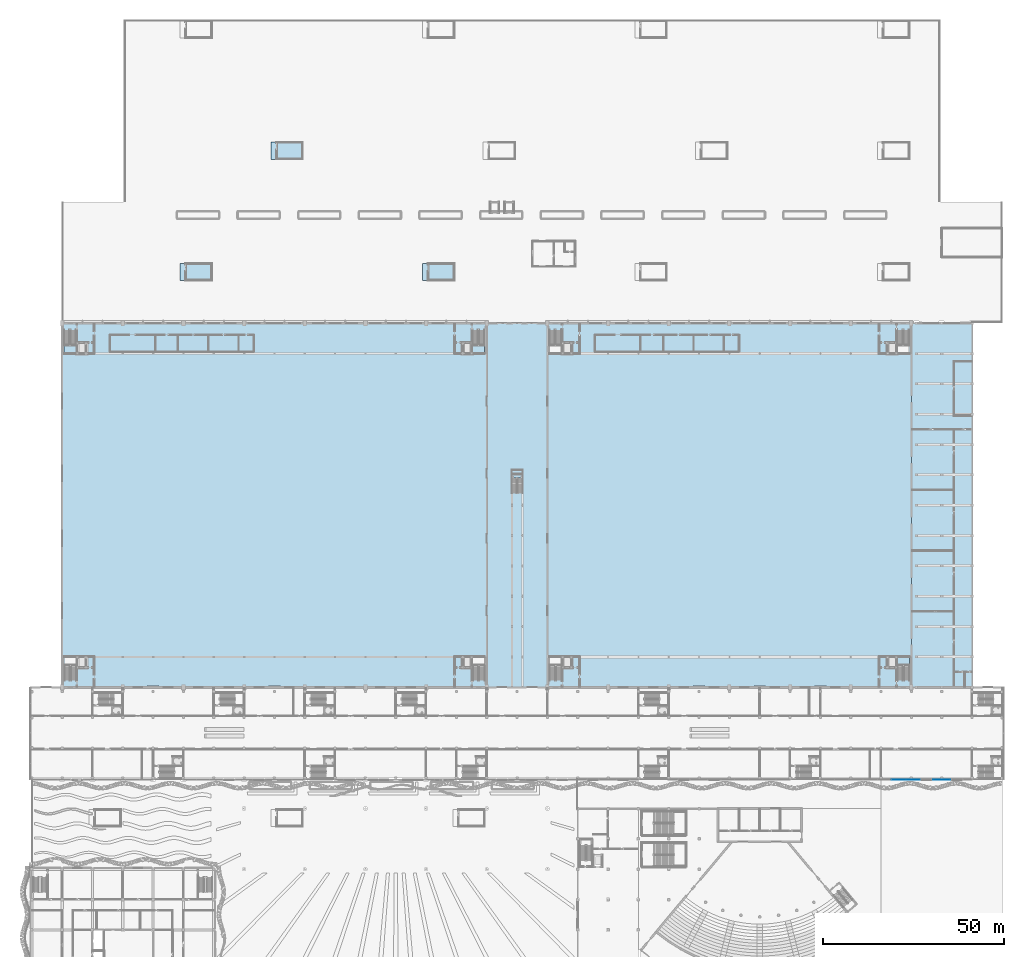
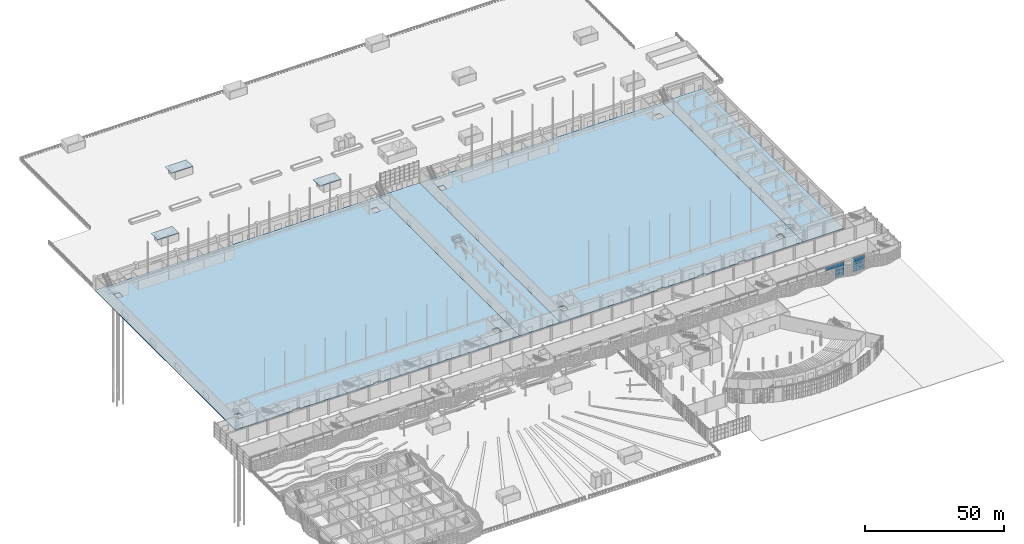
# One storey, part 93 of 210: 11 slabs, 9 plates, 6 elements without a shape of their own.
"""IFC4 building model written with IfcOpenShell, lengths in metres."""

import ifcopenshell
import ifcopenshell.guid

model = None  # the IFC model being written
_history = None  # IfcOwnerHistory: only IFC2X3 demands one
_inside = {}  # id of a spatial element -> (the spatial element, [elements in it])
_under = {}  # id of a project, library or spatial element -> (it, [spatial elements below it])
_declared = {}  # id of a project -> (the project, [libraries it declares])
_typed = {}  # id of a type object -> (the type object, [elements of that type])
_made_of = {}  # id of a material, layer set ... -> (it, [elements and type objects made of it])


def new_model(schema):
    """Start an empty IFC model of exactly this schema.

    Asked for "IFC4X3", IfcOpenShell would pick the latest addendum, in which some entities
    have other attributes; the version numbers below select the first issue.
    IFC2X3 requires an IfcOwnerHistory on every rooted entity: one is made here for all.
    """
    global model, _history
    if schema == "IFC4X3":
        model = ifcopenshell.file(schema_version=(4, 3, 0, 0))
    else:
        model = ifcopenshell.file(schema=schema)
    _inside.clear()
    _under.clear()
    _declared.clear()
    _typed.clear()
    _made_of.clear()
    _history = None
    if model.schema == "IFC2X3":
        org = make("IfcOrganization", Name="unknown")
        user = make(
            "IfcPersonAndOrganization",
            ThePerson=make("IfcPerson", FamilyName="unknown"),
            TheOrganization=org,
        )
        app = make(
            "IfcApplication",
            ApplicationDeveloper=org,
            Version="unknown",
            ApplicationFullName="unknown",
            ApplicationIdentifier="unknown",
        )
        _history = make(
            "IfcOwnerHistory",
            OwningUser=user,
            OwningApplication=app,
            ChangeAction="ADDED",
            CreationDate=0,
        )
    return model


def make(cls, **values):
    """One entity of the class cls with the attributes given. An attribute that is None is left unset."""
    return model.create_entity(
        cls, **{name: value for name, value in values.items() if value is not None}
    )


def rooted(cls, **values):
    """An entity with a GlobalId (a new one), such as an element, a storey or a relation."""
    return make(cls, GlobalId=ifcopenshell.guid.new(), OwnerHistory=_history, **values)


def si_unit(unit_type, name, prefix=None):
    """IfcSIUnit, for example si_unit("LENGTHUNIT", "METRE", prefix="MILLI")."""
    return make("IfcSIUnit", UnitType=unit_type, Prefix=prefix, Name=name)


def assignment(units):
    """IfcUnitAssignment: the units of a project."""
    return None if units is None else make("IfcUnitAssignment", Units=units)


def point(xyz):
    """IfcCartesianPoint."""
    return None if xyz is None else make("IfcCartesianPoint", Coordinates=xyz)


def direction(xyz):
    """IfcDirection."""
    return None if xyz is None else make("IfcDirection", DirectionRatios=xyz)


def frame(location, z_axis=None, x_axis=None):
    """IfcAxis2Placement3D, a coordinate frame: its origin and axes. An axis left out is left unset."""
    return make(
        "IfcAxis2Placement3D",
        Location=point(location),
        Axis=direction(z_axis),
        RefDirection=direction(x_axis),
    )


def frame_2d(location, x_axis=None):
    """IfcAxis2Placement2D, a coordinate frame in the plane: its origin and x axis."""
    return make(
        "IfcAxis2Placement2D", Location=point(location), RefDirection=direction(x_axis)
    )


def origin():
    """The frame at (0, 0, 0) with its axes left unset."""
    return frame((0.0, 0.0, 0.0))


def origin_2d():
    """The frame at (0, 0) in the plane with its x axis left unset."""
    return frame_2d((0.0, 0.0))


def place(relative_to, where):
    """IfcLocalPlacement: puts the frame where relative to a parent placement (None: the world)."""
    return make(
        "IfcLocalPlacement", PlacementRelTo=relative_to, RelativePlacement=where
    )


def context(
    kind, dimensions, precision=None, world=None, true_north=None, identifier=None
):
    """IfcGeometricRepresentationContext, for example the 3D "Model" context."""
    return make(
        "IfcGeometricRepresentationContext",
        ContextIdentifier=identifier,
        ContextType=kind,
        CoordinateSpaceDimension=dimensions,
        Precision=precision,
        WorldCoordinateSystem=world,
        TrueNorth=true_north,
    )


def subcontext(parent, identifier, kind, view, scale=None):
    """IfcGeometricRepresentationSubContext, for example "Body" below "Model"."""
    return make(
        "IfcGeometricRepresentationSubContext",
        ContextIdentifier=identifier,
        ContextType=kind,
        ParentContext=parent,
        TargetScale=scale,
        TargetView=view,
    )


def project(units=None, contexts=None):
    """IfcProject with its units and contexts."""
    return rooted(
        "IfcProject",
        Name="project",
        RepresentationContexts=contexts,
        UnitsInContext=assignment(units),
    )


def spatial(cls, under=None, at=None, **own):
    """A site, building, storey or space (cls), placed at a placement, below another one or the project."""
    s = rooted(cls, ObjectPlacement=at, **own)
    if under is not None:
        _under.setdefault(under.id(), (under, []))[1].append(s)
    return s


def polyline(points):
    """IfcPolyline through the points."""
    return make("IfcPolyline", Points=[point(p) for p in points])


def profile(cls, at=None, kind="AREA", **sizes):
    """A parametric profile (cls). Its sizes go by their IFC names, for example OverallWidth=200.0."""
    return make(cls, ProfileType=kind, Position=at, **sizes)


def rectangle(**sizes):
    """IfcRectangleProfileDef."""
    return profile("IfcRectangleProfileDef", **sizes)


def outline(outer, holes=None, kind="AREA"):
    """IfcArbitraryClosedProfileDef: a profile drawn as a closed curve; with holes, ...WithVoids."""
    if holes is None:
        return make("IfcArbitraryClosedProfileDef", ProfileType=kind, OuterCurve=outer)
    return make(
        "IfcArbitraryProfileDefWithVoids",
        ProfileType=kind,
        OuterCurve=outer,
        InnerCurves=holes,
    )


def extrude(swept, where, along, depth):
    """IfcExtrudedAreaSolid: the profile swept, set in the frame where, extruded along a direction by depth."""
    return make(
        "IfcExtrudedAreaSolid",
        SweptArea=swept,
        Position=where,
        ExtrudedDirection=direction(along),
        Depth=depth,
    )


def shape(context_of_items, identifier, shape_type, items):
    """IfcShapeRepresentation: the items that make up one representation, for example the "Body"."""
    return make(
        "IfcShapeRepresentation",
        ContextOfItems=context_of_items,
        RepresentationIdentifier=identifier,
        RepresentationType=shape_type,
        Items=items,
    )


def material(Name=None, Category=None):
    """IfcMaterial."""
    return make("IfcMaterial", Name=Name, Category=Category)


def layer(
    of_material, thickness, ventilated=None, Name=None, Category=None, Priority=None
):
    """IfcMaterialLayer: one layer of a wall or slab, of a material (None: an air gap)."""
    return make(
        "IfcMaterialLayer",
        Material=of_material,
        LayerThickness=thickness,
        IsVentilated=ventilated,
        Name=Name,
        Category=Category,
        Priority=Priority,
    )


def layer_set(layers, Name=None):
    """IfcMaterialLayerSet."""
    return make("IfcMaterialLayerSet", MaterialLayers=layers, LayerSetName=Name)


def made_of(thing, what):
    """Note that an element or type object is made of a material, layer set ...; save() writes the relation."""
    if what is not None:
        _made_of.setdefault(what.id(), (what, []))[1].append(thing)
    return thing


def type_object(cls, material=None, **own):
    """A type object (cls), such as IfcWallType, which elements share."""
    return made_of(rooted(cls, **own), material)


def element(
    cls,
    number,
    at=None,
    inside=None,
    cuts=None,
    type_object=None,
    material=None,
    context=None,
    identifier="Body",
    shape_type=None,
    held_by="IfcProductDefinitionShape",
    body=None,
    shapes=None,
    **own,
):
    """One element of the class cls, such as IfcWall. Its Tag is "e" and its number.

    at: its placement. inside: the storey or other place that contains it. cuts: it is an
    opening in that element (IfcRelVoidsElement). A single representation is given by context,
    identifier, shape_type and body (its items); several are given by shapes. held_by: the class
    of the entity that holds the representations. save() writes the other relations.
    """
    e = rooted(cls, Tag="e%d" % number, ObjectPlacement=at, **own)
    if body is not None:
        shapes = [shape(context, identifier, shape_type, body)]
    if shapes is not None:
        e.Representation = make(held_by, Representations=shapes)
    if inside is not None:
        _inside.setdefault(inside.id(), (inside, []))[1].append(e)
    if cuts is not None:
        rooted(
            "IfcRelVoidsElement", RelatingBuildingElement=cuts, RelatedOpeningElement=e
        )
    if type_object is not None:
        _typed.setdefault(type_object.id(), (type_object, []))[1].append(e)
    return made_of(e, material)


def aggregate(whole, parts):
    """IfcRelAggregates: a whole, such as a stair, and the parts it consists of."""
    return rooted("IfcRelAggregates", RelatingObject=whole, RelatedObjects=parts)


def save(model, path):
    """Write the relations noted so far, then the file.

    IfcRelAggregates (storeys below a building ...), IfcRelContainedInSpatialStructure (elements
    in a storey), IfcRelDefinesByType, IfcRelAssociatesMaterial and IfcRelDeclares: one each for
    every whole, place, type object, material and project.
    """
    for whole, parts in _under.values():
        aggregate(whole, parts)
    for where, things in _inside.values():
        rooted(
            "IfcRelContainedInSpatialStructure",
            RelatedElements=things,
            RelatingStructure=where,
        )
    for kind, things in _typed.values():
        rooted("IfcRelDefinesByType", RelatedObjects=things, RelatingType=kind)
    for what, things in _made_of.values():
        rooted("IfcRelAssociatesMaterial", RelatedObjects=things, RelatingMaterial=what)
    for by, libraries in _declared.values():
        rooted("IfcRelDeclares", RelatingContext=by, RelatedDefinitions=libraries)
    model.write(path)


model = new_model("IFC4")

# Units and contexts
model_context = context("Model", 3, precision=1e-05, world=origin(), true_north=direction((0.0, 1.0)))
body_context = subcontext(model_context, "Body", "Model", "MODEL_VIEW")
ifc_project = project(units=[si_unit("LENGTHUNIT", "METRE"), si_unit("AREAUNIT", "SQUARE_METRE"), si_unit("VOLUMEUNIT", "CUBIC_METRE"), si_unit("PLANEANGLEUNIT", "RADIAN"), si_unit("MASSUNIT", "GRAM", prefix="KILO")], contexts=[model_context])

# Site, building, storey
site_placement = place(None, origin())
site = spatial("IfcSite", under=ifc_project, at=site_placement, CompositionType="ELEMENT")
building_placement = place(site_placement, origin())
building = spatial("IfcBuilding", under=site, at=building_placement, Name="Rain Tree Exposition and Congress Centre", CompositionType="ELEMENT")
storey_placement = place(building_placement, origin())
storey = spatial("IfcBuildingStorey", under=building, at=storey_placement, Name="L00", CompositionType="ELEMENT", Elevation=0.0)

# Curtain wall, plates
ifc_material_1 = material(Name="Aluminium curtain wall system", Category="aluminium")
ifc_layer_1 = layer(ifc_material_1, 0.10009765625)
ifc_layer_set_1 = layer_set([ifc_layer_1], Name="Aluminium curtain wall system")
curtain_wall_type = type_object("IfcCurtainWallType", Name="Concourse curtain wall 4200 module", PredefinedType="NOTDEFINED", material=ifc_layer_set_1)
curtain_wall_1_placement = place(storey_placement, origin())
curtain_wall_1 = element("IfcCurtainWall", 1, at=curtain_wall_1_placement, inside=storey, type_object=curtain_wall_type, Name="Concourse curtain wall CWC19", PredefinedType="NOTDEFINED")
ifc_material_2 = material(Name="Laminated low-e glass", Category="glass")
ifc_layer_2 = layer(ifc_material_2, 0.028076171875)
ifc_layer_set_2 = layer_set([ifc_layer_2], Name="Laminated low-e glass")
plate_type = type_object("IfcPlateType", Name="Concourse curtain wall glass panel 28", PredefinedType="CURTAIN_PANEL", material=ifc_layer_set_2)
plate_1_placement = place(storey_placement, frame((240.085693359375, 75.199951171875, 4.5302734375), z_axis=(0.0, 0.0, 1.0), x_axis=(1.0, 0.0, 0.0)))
plate_1 = element("IfcPlate", 2, at=plate_1_placement, type_object=plate_type, Name="CWC19 panel 6.4", PredefinedType="CURTAIN_PANEL", context=body_context, shape_type="SweptSolid", body=[
    extrude(rectangle(XDim=3.8828125, YDim=0.028076171875, at=origin_2d()), origin(), (0.0, 0.0, 1.0), 1.409912109375),
])
plate_2_placement = place(storey_placement, frame((244.013671875, 75.199951171875, 0.06005859375), z_axis=(0.0, 0.0, 1.0), x_axis=(1.0, 0.0, 0.0)))
plate_2 = element("IfcPlate", 3, at=plate_2_placement, type_object=plate_type, Name="CWC19 panel 7.1", PredefinedType="CURTAIN_PANEL", context=body_context, shape_type="SweptSolid", body=[
    extrude(rectangle(XDim=3.852783203125, YDim=0.028076171875, at=origin_2d()), origin(), (0.0, 0.0, 1.0), 1.409912109375),
])
plate_3_placement = place(storey_placement, frame((244.013671875, 75.199951171875, 1.530029296875), z_axis=(0.0, 0.0, 1.0), x_axis=(1.0, 0.0, 0.0)))
plate_3 = element("IfcPlate", 4, at=plate_3_placement, type_object=plate_type, Name="CWC19 panel 7.2", PredefinedType="CURTAIN_PANEL", context=body_context, shape_type="SweptSolid", body=[
    extrude(rectangle(XDim=3.852783203125, YDim=0.028076171875, at=origin_2d()), origin(), (0.0, 0.0, 1.0), 1.43994140625),
])
plate_4_placement = place(storey_placement, frame((244.013671875, 75.199951171875, 3.030029296875), z_axis=(0.0, 0.0, 1.0), x_axis=(1.0, 0.0, 0.0)))
plate_4 = element("IfcPlate", 5, at=plate_4_placement, type_object=plate_type, Name="CWC19 panel 7.3", PredefinedType="CURTAIN_PANEL", context=body_context, shape_type="SweptSolid", body=[
    extrude(rectangle(XDim=3.852783203125, YDim=0.028076171875, at=origin_2d()), origin(), (0.0, 0.0, 1.0), 1.43994140625),
])
plate_5_placement = place(storey_placement, frame((244.013671875, 75.199951171875, 4.5302734375), z_axis=(0.0, 0.0, 1.0), x_axis=(1.0, 0.0, 0.0)))
plate_5 = element("IfcPlate", 6, at=plate_5_placement, type_object=plate_type, Name="CWC19 panel 7.4", PredefinedType="CURTAIN_PANEL", context=body_context, shape_type="SweptSolid", body=[
    extrude(rectangle(XDim=3.852783203125, YDim=0.028076171875, at=origin_2d()), origin(), (0.0, 0.0, 1.0), 1.409912109375),
])
aggregate(curtain_wall_1, [plate_1, plate_2, plate_3, plate_4, plate_5])

curtain_wall_2_placement = place(storey_placement, origin())
curtain_wall_2 = element("IfcCurtainWall", 7, at=curtain_wall_2_placement, inside=storey, type_object=curtain_wall_type, Name="Concourse curtain wall CWC20", PredefinedType="NOTDEFINED")
plate_6_placement = place(storey_placement, frame((252.0, 75.199951171875, 0.06005859375), z_axis=(0.0, 0.0, 1.0), x_axis=(1.0, 0.0, 0.0)))
plate_6 = element("IfcPlate", 8, at=plate_6_placement, type_object=plate_type, Name="CWC20 panel 1.1", PredefinedType="CURTAIN_PANEL", context=body_context, shape_type="SweptSolid", body=[
    extrude(rectangle(XDim=4.679931640625, YDim=0.028076171875, at=origin_2d()), origin(), (0.0, 0.0, 1.0), 1.409912109375),
])
plate_7_placement = place(storey_placement, frame((252.0, 75.199951171875, 1.530029296875), z_axis=(0.0, 0.0, 1.0), x_axis=(1.0, 0.0, 0.0)))
plate_7 = element("IfcPlate", 9, at=plate_7_placement, type_object=plate_type, Name="CWC20 panel 1.2", PredefinedType="CURTAIN_PANEL", context=body_context, shape_type="SweptSolid", body=[
    extrude(rectangle(XDim=4.679931640625, YDim=0.028076171875, at=origin_2d()), origin(), (0.0, 0.0, 1.0), 1.43994140625),
])
plate_8_placement = place(storey_placement, frame((252.0, 75.199951171875, 3.030029296875), z_axis=(0.0, 0.0, 1.0), x_axis=(1.0, 0.0, 0.0)))
plate_8 = element("IfcPlate", 10, at=plate_8_placement, type_object=plate_type, Name="CWC20 panel 1.3", PredefinedType="CURTAIN_PANEL", context=body_context, shape_type="SweptSolid", body=[
    extrude(rectangle(XDim=4.679931640625, YDim=0.028076171875, at=origin_2d()), origin(), (0.0, 0.0, 1.0), 1.43994140625),
])
plate_9_placement = place(storey_placement, frame((252.0, 75.199951171875, 4.5302734375), z_axis=(0.0, 0.0, 1.0), x_axis=(1.0, 0.0, 0.0)))
plate_9 = element("IfcPlate", 11, at=plate_9_placement, type_object=plate_type, Name="CWC20 panel 1.4", PredefinedType="CURTAIN_PANEL", context=body_context, shape_type="SweptSolid", body=[
    extrude(rectangle(XDim=4.679931640625, YDim=0.028076171875, at=origin_2d()), origin(), (0.0, 0.0, 1.0), 1.409912109375),
])
aggregate(curtain_wall_2, [plate_6, plate_7, plate_8, plate_9])

# Slabs
ifc_material_3 = material(Name="Concrete C40/50", Category="concrete")
ifc_layer_3 = layer(ifc_material_3, 0.35009765625)
ifc_layer_set_3 = layer_set([ifc_layer_3], Name="Concrete C40/50")
slab_type_1 = type_object("IfcSlabType", Name="Hall ground slab 350", PredefinedType="BASESLAB", material=ifc_layer_set_3)
slab_1_placement = place(storey_placement, frame((0.0, 0.0, -0.35009765625)))
element("IfcSlab", 12, at=slab_1_placement, inside=storey, type_object=slab_type_1, Name="Hall A ground slab", PredefinedType="BASESLAB", context=body_context, shape_type="SweptSolid", body=[
    extrude(outline(polyline([(8.199951171875, 201.60009765625), (8.199951171875, 100.60009765625), (32.10009765625, 100.60009765625), (32.10009765625, 101.2392578125), (35.10009765625, 101.2392578125), (35.10009765625, 100.60009765625), (65.699951171875, 100.60009765625), (65.699951171875, 101.2392578125), (68.699951171875, 101.2392578125), (68.699951171875, 100.60009765625), (126.0, 100.60009765625), (126.0, 201.60009765625), (8.199951171875, 201.60009765625)]), holes=[polyline([(14.97509765625, 106.324951171875), (14.97509765625, 109.074951171875), (12.625, 109.074951171875), (12.625, 106.324951171875), (14.97509765625, 106.324951171875)]), polyline([(121.77490234375, 106.324951171875), (121.77490234375, 109.074951171875), (119.425048828125, 109.074951171875), (119.425048828125, 106.324951171875), (121.77490234375, 106.324951171875)]), polyline([(14.97509765625, 193.324951171875), (14.97509765625, 196.074951171875), (12.625, 196.074951171875), (12.625, 193.324951171875), (14.97509765625, 193.324951171875)]), polyline([(121.77490234375, 193.324951171875), (121.77490234375, 196.074951171875), (119.425048828125, 196.074951171875), (119.425048828125, 193.324951171875), (121.77490234375, 193.324951171875)])]), origin(), (0.0, 0.0, 1.0), 0.35009765625),
])
slab_2_placement = place(storey_placement, frame((0.0, 0.0, -0.35009765625)))
element("IfcSlab", 13, at=slab_2_placement, inside=storey, type_object=slab_type_1, Name="Hall B ground slab", PredefinedType="BASESLAB", context=body_context, shape_type="SweptSolid", body=[
    extrude(outline(polyline([(142.800048828125, 201.60009765625), (142.800048828125, 100.60009765625), (183.300048828125, 100.60009765625), (183.300048828125, 101.2392578125), (186.300048828125, 101.2392578125), (186.300048828125, 100.60009765625), (200.10009765625, 100.60009765625), (200.10009765625, 101.2392578125), (203.10009765625, 101.2392578125), (203.10009765625, 100.60009765625), (216.89990234375, 100.60009765625), (216.89990234375, 101.2392578125), (219.89990234375, 101.2392578125), (219.89990234375, 100.60009765625), (243.60009765625, 100.60009765625), (243.60009765625, 201.60009765625), (142.800048828125, 201.60009765625)]), holes=[polyline([(149.375, 106.324951171875), (149.375, 109.074951171875), (147.02490234375, 109.074951171875), (147.02490234375, 106.324951171875), (149.375, 106.324951171875)]), polyline([(239.375, 106.324951171875), (239.375, 109.074951171875), (237.02490234375, 109.074951171875), (237.02490234375, 106.324951171875), (239.375, 106.324951171875)]), polyline([(149.375, 193.324951171875), (149.375, 196.074951171875), (147.02490234375, 196.074951171875), (147.02490234375, 193.324951171875), (149.375, 193.324951171875)]), polyline([(239.375, 193.324951171875), (239.375, 196.074951171875), (237.02490234375, 196.074951171875), (237.02490234375, 193.324951171875), (239.375, 193.324951171875)])]), origin(), (0.0, 0.0, 1.0), 0.35009765625),
])
slab_3_placement = place(storey_placement, frame((0.0, 0.0, -0.35009765625)))
element("IfcSlab", 14, at=slab_3_placement, inside=storey, type_object=slab_type_1, Name="Hall link ground slab", PredefinedType="BASESLAB", context=body_context, shape_type="SweptSolid", body=[
    extrude(outline(polyline([(142.800048828125, 100.60009765625), (142.800048828125, 201.60009765625), (126.0, 201.60009765625), (126.0, 100.60009765625), (142.800048828125, 100.60009765625)])), origin(), (0.0, 0.0, 1.0), 0.35009765625),
])
ifc_material_4 = material(Name="Concrete C40/50", Category="concrete")
ifc_layer_4 = layer(ifc_material_4, 0.25)
ifc_layer_set_4 = layer_set([ifc_layer_4], Name="Concrete C40/50")
slab_type_2 = type_object("IfcSlabType", Name="Lift roof slab 250", PredefinedType="ROOF", material=ifc_layer_set_4)
slab_4_placement = place(storey_placement, frame((0.0, 0.0, 3.199951171875)))
element("IfcSlab", 15, at=slab_4_placement, inside=storey, type_object=slab_type_2, Name="Exit stair N01 roof and entrance canopy", PredefinedType="ROOF", context=body_context, shape_type="SweptSolid", body=[
    extrude(outline(polyline([(41.0, 213.39990234375), (49.89990234375, 213.39990234375), (49.89990234375, 218.199951171875), (41.0, 218.199951171875), (41.0, 213.39990234375)])), origin(), (0.0, 0.0, 1.0), 0.25),
])
slab_5_placement = place(storey_placement, frame((0.0, 0.0, 3.199951171875)))
element("IfcSlab", 16, at=slab_5_placement, inside=storey, type_object=slab_type_2, Name="Exit stair N02 roof and entrance canopy", PredefinedType="ROOF", context=body_context, shape_type="SweptSolid", body=[
    extrude(outline(polyline([(108.199951171875, 213.39990234375), (117.10009765625, 213.39990234375), (117.10009765625, 218.199951171875), (108.199951171875, 218.199951171875), (108.199951171875, 213.39990234375)])), origin(), (0.0, 0.0, 1.0), 0.25),
])
slab_6_placement = place(storey_placement, frame((0.0, 0.0, 3.199951171875)))
element("IfcSlab", 17, at=slab_6_placement, inside=storey, type_object=slab_type_2, Name="Exit stair N05 roof and entrance canopy", PredefinedType="ROOF", context=body_context, shape_type="SweptSolid", body=[
    extrude(outline(polyline([(66.199951171875, 247.0), (75.10009765625, 247.0), (75.10009765625, 251.800048828125), (66.199951171875, 251.800048828125), (66.199951171875, 247.0)])), origin(), (0.0, 0.0, 1.0), 0.25),
])
ifc_material_5 = material(Name="Concrete C40/50", Category="concrete")
ifc_layer_5 = layer(ifc_material_5, 0.35009765625)
ifc_layer_set_5 = layer_set([ifc_layer_5], Name="Concrete C40/50")
slab_type_3 = type_object("IfcSlabType", Name="Service block ground slab 350", PredefinedType="BASESLAB", material=ifc_layer_set_5)
slab_7_placement = place(storey_placement, frame((0.0, 0.0, -0.35009765625)))
element("IfcSlab", 18, at=slab_7_placement, inside=storey, type_object=slab_type_3, Name="Service block ground slab", PredefinedType="BASESLAB", context=body_context, shape_type="SweptSolid", body=[
    extrude(outline(polyline([(260.550048828125, 100.64990234375), (260.550048828125, 201.75), (243.60009765625, 201.75), (243.60009765625, 100.64990234375), (260.550048828125, 100.64990234375)])), origin(), (0.0, 0.0, 1.0), 0.35009765625),
])

# Stair, slab
ifc_material_6 = material(Name="Concrete C40/50", Category="concrete")
stair_type_1 = type_object("IfcStairType", Name="Half-turn stair 1600", PredefinedType="HALF_TURN_STAIR", material=ifc_material_6)
stair_1_placement = place(storey_placement, origin())
stair_1 = element("IfcStair", 19, at=stair_1_placement, inside=storey, type_object=stair_type_1, Name="L00 Stair H3", PredefinedType="HALF_TURN_STAIR")
ifc_material_7 = material(Name="Concrete C40/50", Category="concrete")
ifc_layer_6 = layer(ifc_material_7, 0.199951171875)
ifc_layer_set_6 = layer_set([ifc_layer_6], Name="Concrete C40/50")
slab_type_4 = type_object("IfcSlabType", Name="Stair landing 200", PredefinedType="LANDING", material=ifc_layer_set_6)
slab_8_placement = place(storey_placement, frame((0.0, 0.0, 2.800048828125)))
slab_8 = element("IfcSlab", 20, at=slab_8_placement, type_object=slab_type_4, Name="ST-H3 landing 1", PredefinedType="LANDING", context=body_context, shape_type="SweptSolid", body=[
    extrude(outline(polyline([(8.89990234375, 195.60009765625), (8.89990234375, 193.324951171875), (12.25, 193.324951171875), (12.25, 195.60009765625), (8.89990234375, 195.60009765625)])), origin(), (0.0, 0.0, 1.0), 0.199951171875),
])
aggregate(stair_1, [slab_8])

stair_2_placement = place(storey_placement, origin())
stair_2 = element("IfcStair", 21, at=stair_2_placement, inside=storey, type_object=stair_type_1, Name="L00 Stair H4", PredefinedType="HALF_TURN_STAIR")
slab_9_placement = place(storey_placement, frame((0.0, 0.0, 2.800048828125)))
slab_9 = element("IfcSlab", 22, at=slab_9_placement, type_object=slab_type_4, Name="ST-H4 landing 1", PredefinedType="LANDING", context=body_context, shape_type="SweptSolid", body=[
    extrude(outline(polyline([(122.02490234375, 195.60009765625), (122.02490234375, 193.324951171875), (125.375, 193.324951171875), (125.375, 195.60009765625), (122.02490234375, 195.60009765625)])), origin(), (0.0, 0.0, 1.0), 0.199951171875),
])
aggregate(stair_2, [slab_9])

stair_3_placement = place(storey_placement, origin())
stair_3 = element("IfcStair", 23, at=stair_3_placement, inside=storey, type_object=stair_type_1, Name="L00 Stair H6", PredefinedType="HALF_TURN_STAIR")
slab_10_placement = place(storey_placement, frame((0.0, 0.0, 2.800048828125)))
slab_10 = element("IfcSlab", 24, at=slab_10_placement, type_object=slab_type_4, Name="ST-H6 landing 1", PredefinedType="LANDING", context=body_context, shape_type="SweptSolid", body=[
    extrude(outline(polyline([(243.10009765625, 106.800048828125), (243.10009765625, 109.074951171875), (239.75, 109.074951171875), (239.75, 106.800048828125), (243.10009765625, 106.800048828125)])), origin(), (0.0, 0.0, 1.0), 0.199951171875),
])
aggregate(stair_3, [slab_10])

ifc_material_8 = material(Name="Concrete C40/50", Category="concrete")
stair_type_2 = type_object("IfcStairType", Name="Half-turn stair 1500", PredefinedType="HALF_TURN_STAIR", material=ifc_material_8)
stair_4_placement = place(storey_placement, origin())
stair_4 = element("IfcStair", 25, at=stair_4_placement, inside=storey, type_object=stair_type_2, Name="L00 Stair HL1", PredefinedType="HALF_TURN_STAIR")
slab_11_placement = place(storey_placement, frame((0.0, 0.0, 2.800048828125)))
slab_11 = element("IfcSlab", 26, at=slab_11_placement, type_object=slab_type_4, Name="ST-HL1 landing 1", PredefinedType="LANDING", context=body_context, shape_type="SweptSolid", body=[
    extrude(outline(polyline([(136.0, 158.699951171875), (136.0, 161.0), (132.85009765625, 161.0), (132.85009765625, 158.699951171875), (136.0, 158.699951171875)])), origin(), (0.0, 0.0, 1.0), 0.199951171875),
])
aggregate(stair_4, [slab_11])

save(model, "model.ifc")
